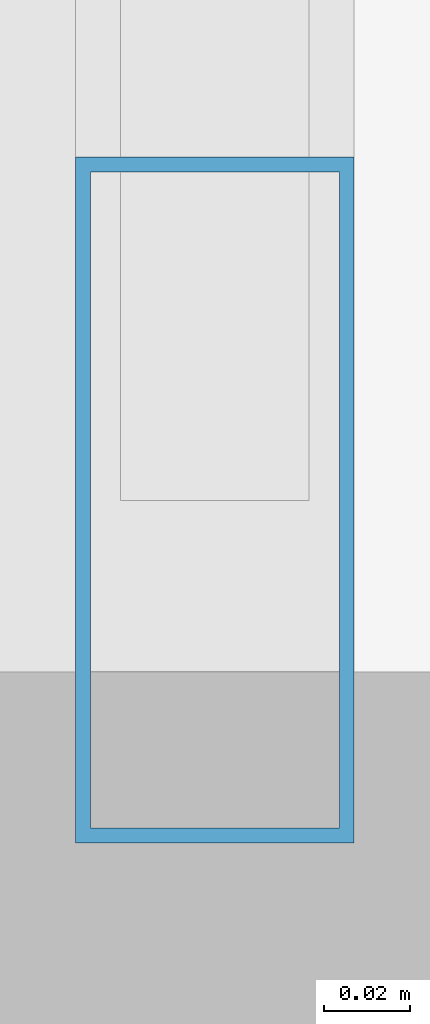
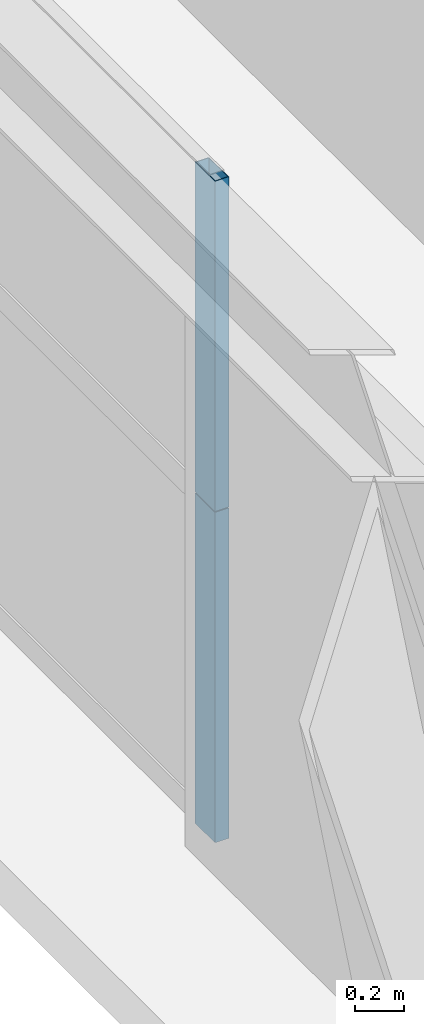
# One storey, part 8 of 45: 2 members, 1 element without a shape of its own.
"""IFC4 building model written with IfcOpenShell, lengths in metres."""

from ifc_helpers import new_model, si_unit, direction, frame, origin, origin_2d, place, context, subcontext, project, spatial, hollow_rectangle, extrude, source, transform, mapped, material, layer, layer_set, material_profile, profile_set, type_object, element, aggregate, save


model = new_model("IFC4")

# Units and contexts
model_context = context("Model", 3, precision=1e-05, world=origin(), true_north=direction((0.0, 1.0)))
body_context = subcontext(model_context, "Body", "Model", "MODEL_VIEW")
ifc_project = project(units=[si_unit("LENGTHUNIT", "METRE"), si_unit("AREAUNIT", "SQUARE_METRE"), si_unit("VOLUMEUNIT", "CUBIC_METRE"), si_unit("PLANEANGLEUNIT", "RADIAN"), si_unit("MASSUNIT", "GRAM", prefix="KILO"), si_unit("THERMODYNAMICTEMPERATUREUNIT", "KELVIN"), si_unit("POWERUNIT", "WATT")], contexts=[model_context])

# Site, building, storey
site_placement = place(None, origin())
site = spatial("IfcSite", under=ifc_project, at=site_placement, CompositionType="ELEMENT")
building_placement = place(site_placement, origin())
building = spatial("IfcBuilding", under=site, at=building_placement, Name="Yuzanri Waterfront Tower", CompositionType="ELEMENT")
storey_placement = place(building_placement, frame((0.0, 0.0, 212.5)))
storey = spatial("IfcBuildingStorey", under=building, at=storey_placement, Name="L56", CompositionType="ELEMENT", Elevation=212.5)

# Curtain wall, members
ifc_material_1 = material(Name="Anodized Architectural Bronze", Category="metal")
ifc_layer = layer(ifc_material_1, 0.159912109375)
ifc_layer_set = layer_set([ifc_layer], Name="Anodized Architectural Bronze")
curtain_wall_type = type_object("IfcCurtainWallType", Name="Anodized Bronze Mid-Rise Residential Acoustic Unitized Curtain Wall 7200", PredefinedType="NOTDEFINED", material=ifc_layer_set)
curtain_wall_placement = place(storey_placement, origin())
curtain_wall = element("IfcCurtainWall", 1, at=curtain_wall_placement, inside=storey, type_object=curtain_wall_type, Name="L56 Curtain Wall CW-L56-WL", PredefinedType="NOTDEFINED")
ifc_material_2 = material(Name="Anodized Architectural Bronze", Category="metal")
ifc_material_profile = material_profile(ifc_material_2, hollow_rectangle(XDim=0.06494140625, YDim=0.159912109375, WallThickness=0.00341796875, at=origin_2d()), Name="CWM 65x160")
ifc_profile_set = profile_set([ifc_material_profile], Name="Anodized Architectural Bronze")
member_type = type_object("IfcMemberType", Name="Anodized Bronze Upper-Zone Curtain-Wall Mullion 65x160", PredefinedType="MULLION", material=ifc_profile_set)
shared_shape = source(origin(), body_context, "Body", "SweptSolid", [
    extrude(hollow_rectangle(XDim=0.06494140625, YDim=0.159912109375, WallThickness=0.00341796875, at=origin_2d()), origin(), (0.0, 0.0, 1.0), 1.637939453125),
])
member_1_placement = place(storey_placement, frame((15.050048828125, 11.090087890625, 0.0), z_axis=(0.0, 0.0, 1.0), x_axis=(1.0, 0.0, 0.0)))
member_1 = element("IfcMember", 2, at=member_1_placement, type_object=member_type, Name="CW-L56-WL Lower Mullion 00", PredefinedType="MULLION", context=body_context, shape_type="MappedRepresentation", body=[
    mapped(shared_shape, transform((0.0, 0.0, 0.0), scale=1.0)),
])
member_2_placement = place(storey_placement, frame((15.050048828125, 11.090087890625, 1.64208984375), z_axis=(0.0, 0.0, 1.0), x_axis=(1.0, 0.0, 0.0)))
member_2 = element("IfcMember", 3, at=member_2_placement, type_object=member_type, Name="CW-L56-WL Upper Mullion 00", PredefinedType="MULLION", context=body_context, shape_type="MappedRepresentation", body=[
    mapped(shared_shape, transform((0.0, 0.0, 0.0), scale=1.0)),
])
aggregate(curtain_wall, [member_1, member_2])

save(model, "model.ifc")
